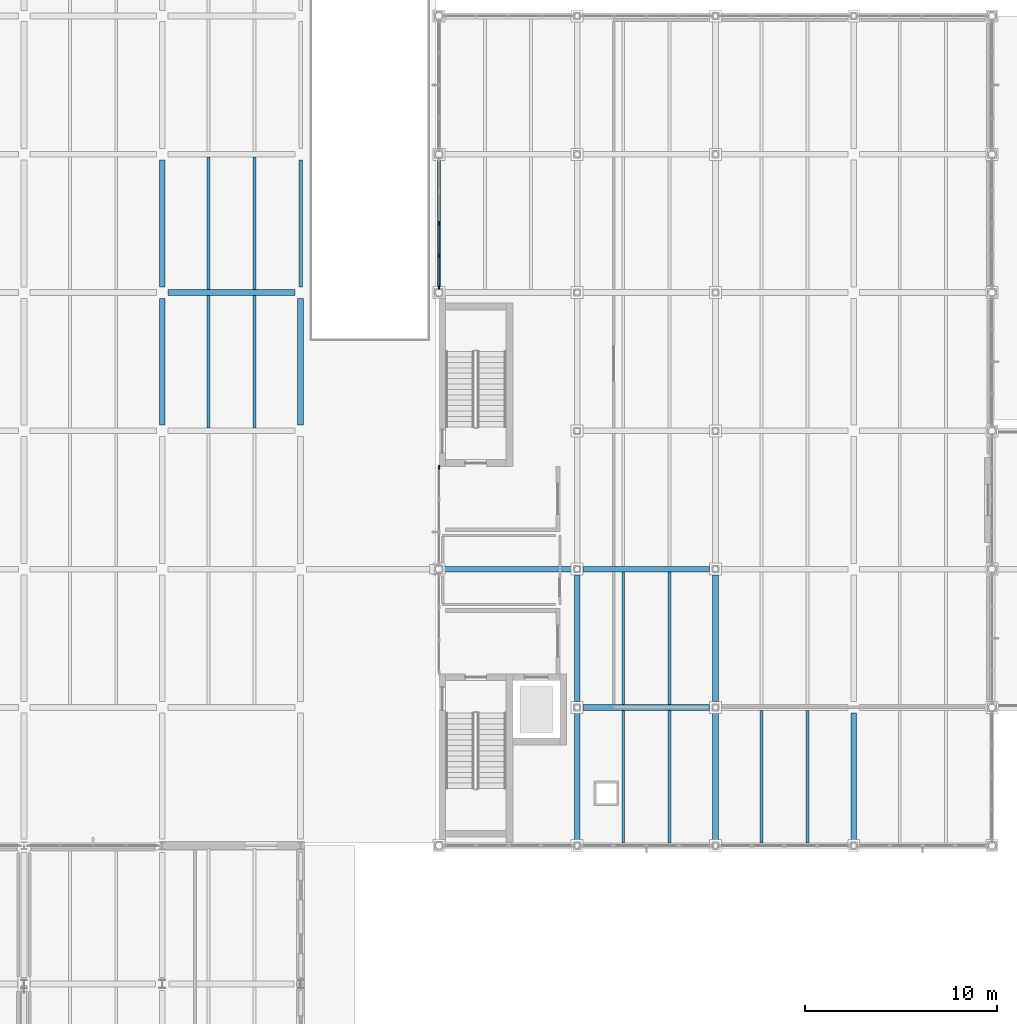
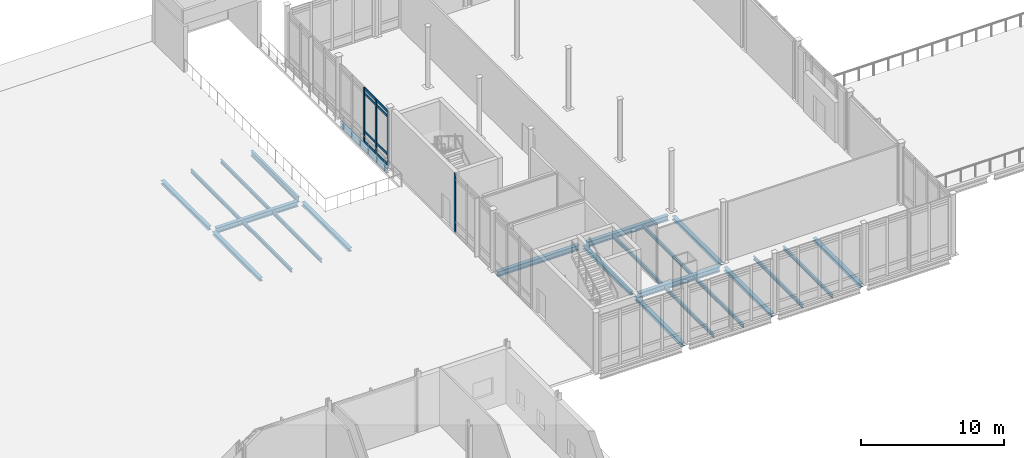
# One storey, part 26 of 89: 24 beams, 12 members, 2 elements without a shape of their own.
"""IFC4 building model written with IfcOpenShell, lengths in metres."""

from ifc_helpers import new_model, si_unit, direction, frame, origin, origin_2d, place, context, subcontext, project, spatial, rectangle, i_section, extrude, material, layer, layer_set, material_profile, profile_set, type_object, element, aggregate, save


model = new_model("IFC4")

# Units and contexts
model_context = context("Model", 3, precision=1e-05, world=origin(), true_north=direction((0.0, 1.0)))
body_context = subcontext(model_context, "Body", "Model", "MODEL_VIEW")
ifc_project = project(units=[si_unit("LENGTHUNIT", "METRE"), si_unit("AREAUNIT", "SQUARE_METRE"), si_unit("VOLUMEUNIT", "CUBIC_METRE"), si_unit("PLANEANGLEUNIT", "RADIAN"), si_unit("MASSUNIT", "GRAM", prefix="KILO")], contexts=[model_context])

# Site, building, storey
site_placement = place(None, origin())
site = spatial("IfcSite", under=ifc_project, at=site_placement, CompositionType="ELEMENT")
building_placement = place(site_placement, origin())
building = spatial("IfcBuilding", under=site, at=building_placement, Name="Zarrinpeak Specialist Clinic", CompositionType="ELEMENT")
storey_placement = place(building_placement, origin())
storey = spatial("IfcBuildingStorey", under=building, at=storey_placement, Name="L00", CompositionType="ELEMENT", Elevation=0.0)

# Beams
ifc_material_1 = material(Name="Steel S355", Category="steel")
ifc_material_profile_1 = material_profile(ifc_material_1, i_section(OverallWidth=0.300048828125, OverallDepth=0.2900390625, WebThickness=0.008544921875, FlangeThickness=0.013916015625, FilletRadius=0.027099609375, at=origin_2d()), Name="HEA 300")
ifc_profile_set_1 = profile_set([ifc_material_profile_1], Name="Steel S355")
beam_type_1 = type_object("IfcBeamType", Name="BM-HEA300", PredefinedType="BEAM", material=ifc_profile_set_1)
for number, where, z_axis, x_axis, name in (
    (1, (79.199951171875, 50.697998046875, -0.364990234375), (0.0, 1.0, 0.0), (-1.0, 0.0, 0.0), "L00 Primary Beam BM-L00-Y0360"),
    (2, (79.199951171875, 57.89794921875, -0.364990234375), (0.0, 1.0, 0.0), (-1.0, 0.0, 0.0), "L00 Primary Beam BM-L00-Y0361"),
    (3, (86.39990234375, 50.697998046875, -0.364990234375), (0.0, 1.0, 0.0), (-1.0, 0.0, 0.0), "L00 Primary Beam BM-L00-Y0369"),
    (4, (100.800048828125, 29.097900390625, -0.39501953125), (0.0, 1.0, 0.0), (-1.0, 0.0, 0.0), "L00 Primary Beam BM-L00-Y0375"),
    (5, (100.800048828125, 36.298095703125, -0.39501953125), (0.0, 1.0, 0.0), (-1.0, 0.0, 0.0), "L00 Primary Beam BM-L00-Y0376"),
    (6, (108.0, 29.097900390625, -0.39501953125), (0.0, 1.0, 0.0), (-1.0, 0.0, 0.0), "L00 Primary Beam BM-L00-Y0381"),
    (7, (108.0, 36.298095703125, -0.39501953125), (0.0, 1.0, 0.0), (-1.0, 0.0, 0.0), "L00 Primary Beam BM-L00-Y0382"),
    (8, (115.199951171875, 29.097900390625, -0.39501953125), (0.0, 1.0, 0.0), (-1.0, 0.0, 0.0), "L00 Primary Beam BM-L00-Y0387"),
):
    element("IfcBeam", number, at=place(storey_placement, frame(where, z_axis=z_axis, x_axis=x_axis)), inside=storey, type_object=beam_type_1, Name=name, PredefinedType="BEAM", context=body_context, shape_type="SweptSolid", body=[
        extrude(i_section(OverallWidth=0.300048828125, OverallDepth=0.2900390625, WebThickness=0.008544921875, FlangeThickness=0.013916015625, FilletRadius=0.027099609375, at=origin_2d()), origin(), (0.0, 0.0, 1.0), 6.60400390625),
    ])
ifc_material_profile_2 = material_profile(ifc_material_1, i_section(OverallWidth=0.300048828125, OverallDepth=0.43994140625, WebThickness=0.011474609375, FlangeThickness=0.02099609375, FilletRadius=0.027099609375, at=origin_2d()), Name="HEA 450")
ifc_profile_set_2 = profile_set([ifc_material_profile_2], Name="Steel S355")
beam_type_2 = type_object("IfcBeamType", Name="BM-HEA450", PredefinedType="BEAM", material=ifc_profile_set_2)
for number, where, z_axis, x_axis, name in (
    (9, (101.097900390625, 36.0, -0.469970703125), (1.0, 0.0, 0.0), (0.0, 1.0, 0.0), "L00 Primary Floor Girder BM-L00-X0068"),
    (10, (93.89794921875, 43.199951171875, -0.469970703125), (1.0, 0.0, 0.0), (0.0, 1.0, 0.0), "L00 Primary Floor Girder BM-L00-X0091"),
    (11, (101.097900390625, 43.199951171875, -0.469970703125), (1.0, 0.0, 0.0), (0.0, 1.0, 0.0), "L00 Primary Floor Girder BM-L00-X0092"),
    (12, (79.498046875, 57.60009765625, -0.43994140625), (1.0, 0.0, 0.0), (0.0, 1.0, 0.0), "L00 Primary Floor Girder BM-L00-X0139"),
):
    element("IfcBeam", number, at=place(storey_placement, frame(where, z_axis=z_axis, x_axis=x_axis)), inside=storey, type_object=beam_type_2, Name=name, PredefinedType="BEAM", context=body_context, shape_type="SweptSolid", body=[
        extrude(i_section(OverallWidth=0.300048828125, OverallDepth=0.43994140625, WebThickness=0.011474609375, FlangeThickness=0.02099609375, FilletRadius=0.027099609375, at=origin_2d()), origin(), (0.0, 0.0, 1.0), 6.60400390625),
    ])
ifc_material_profile_3 = material_profile(ifc_material_1, i_section(OverallWidth=0.14990234375, OverallDepth=0.300048828125, WebThickness=0.007080078125, FlangeThickness=0.0107421875, FilletRadius=0.014892578125, at=origin_2d()), Name="IPE 300")
ifc_profile_set_3 = profile_set([ifc_material_profile_3], Name="Steel S355")
beam_type_3 = type_object("IfcBeamType", Name="BM-JST300", PredefinedType="JOIST", material=ifc_profile_set_3)
for number, where, z_axis, x_axis, name in (
    (13, (103.199951171875, 28.947998046875, -0.39990234375), (0.0, 1.0, 0.0), (-1.0, 0.0, 0.0), "L00 Composite Floor Joist JST-L00-0505"),
    (14, (105.60009765625, 28.947998046875, -0.39990234375), (0.0, 1.0, 0.0), (-1.0, 0.0, 0.0), "L00 Composite Floor Joist JST-L00-0506"),
    (15, (103.199951171875, 36.14794921875, -0.39990234375), (0.0, 1.0, 0.0), (-1.0, 0.0, 0.0), "L00 Composite Floor Joist JST-L00-0507"),
    (16, (105.60009765625, 36.14794921875, -0.39990234375), (0.0, 1.0, 0.0), (-1.0, 0.0, 0.0), "L00 Composite Floor Joist JST-L00-0508"),
    (17, (110.39990234375, 28.947998046875, -0.39990234375), (0.0, 1.0, 0.0), (-1.0, 0.0, 0.0), "L00 Composite Floor Joist JST-L00-0517"),
    (18, (112.800048828125, 28.947998046875, -0.39990234375), (0.0, 1.0, 0.0), (-1.0, 0.0, 0.0), "L00 Composite Floor Joist JST-L00-0518"),
):
    element("IfcBeam", number, at=place(storey_placement, frame(where, z_axis=z_axis, x_axis=x_axis)), inside=storey, type_object=beam_type_3, Name=name, PredefinedType="JOIST", context=body_context, shape_type="SweptSolid", body=[
        extrude(i_section(OverallWidth=0.14990234375, OverallDepth=0.300048828125, WebThickness=0.007080078125, FlangeThickness=0.0107421875, FilletRadius=0.014892578125, at=origin_2d()), origin(), (0.0, 0.0, 1.0), 6.904052734375),
    ])
for number, where, z_axis, x_axis, name in (
    (19, (81.60009765625, 50.548095703125, -0.3701171875), (0.0, 1.0, 0.0), (-1.0, 0.0, 0.0), "L00 Composite Floor Joist JST-L00-0680"),
    (20, (84.0, 50.548095703125, -0.3701171875), (0.0, 1.0, 0.0), (-1.0, 0.0, 0.0), "L00 Composite Floor Joist JST-L00-0681"),
):
    element("IfcBeam", number, at=place(storey_placement, frame(where, z_axis=z_axis, x_axis=x_axis)), inside=storey, type_object=beam_type_3, Name=name, PredefinedType="JOIST", context=body_context, shape_type="SweptSolid", body=[
        extrude(i_section(OverallWidth=0.14990234375, OverallDepth=0.300048828125, WebThickness=0.007080078125, FlangeThickness=0.0107421875, FilletRadius=0.014892578125, at=origin_2d()), origin(), (0.0, 0.0, 1.0), 6.90380859375),
    ])
for number, where, z_axis, x_axis, name in (
    (21, (81.60009765625, 57.748046875, -0.3701171875), (0.0, 1.0, 0.0), (-1.0, 0.0, 0.0), "L00 Composite Floor Joist JST-L00-0682"),
    (22, (84.0, 57.748046875, -0.3701171875), (0.0, 1.0, 0.0), (-1.0, 0.0, 0.0), "L00 Composite Floor Joist JST-L00-0683"),
):
    element("IfcBeam", number, at=place(storey_placement, frame(where, z_axis=z_axis, x_axis=x_axis)), inside=storey, type_object=beam_type_3, Name=name, PredefinedType="JOIST", context=body_context, shape_type="SweptSolid", body=[
        extrude(i_section(OverallWidth=0.14990234375, OverallDepth=0.300048828125, WebThickness=0.007080078125, FlangeThickness=0.0107421875, FilletRadius=0.014892578125, at=origin_2d()), origin(), (0.0, 0.0, 1.0), 6.904052734375),
    ])
ifc_material_profile_4 = material_profile(ifc_material_1, i_section(OverallWidth=0.18994140625, OverallDepth=0.449951171875, WebThickness=0.009521484375, FlangeThickness=0.0146484375, FilletRadius=0.02099609375, at=origin_2d()), Name="IPE 450")
ifc_profile_set_4 = profile_set([ifc_material_profile_4], Name="Steel S355")
beam_type_4 = type_object("IfcBeamType", Name="BM-SP450", PredefinedType="SPANDREL", material=ifc_profile_set_4)
for number, where, z_axis, x_axis, name in (
    (23, (86.39990234375, 57.89794921875, -0.445068359375), (0.0, 1.0, 0.0), (-1.0, 0.0, 0.0), "L00 Perimeter Spandrel Beam BM-L00-Y0370"),
    (24, (93.60009765625, 57.89794921875, -0.47509765625), (0.0, 1.0, 0.0), (-1.0, 0.0, 0.0), "L00 Perimeter Spandrel Beam BM-L00-Y0373"),
):
    element("IfcBeam", number, at=place(storey_placement, frame(where, z_axis=z_axis, x_axis=x_axis)), inside=storey, type_object=beam_type_4, Name=name, PredefinedType="SPANDREL", context=body_context, shape_type="SweptSolid", body=[
        extrude(i_section(OverallWidth=0.18994140625, OverallDepth=0.449951171875, WebThickness=0.009521484375, FlangeThickness=0.0146484375, FilletRadius=0.02099609375, at=origin_2d()), origin(), (0.0, 0.0, 1.0), 6.60400390625),
    ])

# Curtain wall, member
ifc_material_2 = material(Name="Anodised Aluminium Alloy 6063-T6", Category="aluminium")
ifc_layer = layer(ifc_material_2, 0.199951171875)
ifc_layer_set = layer_set([ifc_layer], Name="Anodised Aluminium Alloy 6063-T6")
curtain_wall_type = type_object("IfcCurtainWallType", Name="CW-HALL", PredefinedType="NOTDEFINED", material=ifc_layer_set)
curtain_wall_1_placement = place(storey_placement, origin())
curtain_wall_1 = element("IfcCurtainWall", 25, at=curtain_wall_1_placement, inside=storey, type_object=curtain_wall_type, Name="L00 V3 Unitised Curtain Wall CW-L00-V3-088", PredefinedType="NOTDEFINED")
ifc_material_profile_5 = material_profile(ifc_material_2, rectangle(XDim=0.090087890625, YDim=0.219970703125, at=origin_2d()), Name="ALU 90x220")
ifc_profile_set_5 = profile_set([ifc_material_profile_5], Name="Anodised Aluminium Alloy 6063-T6")
member_type_1 = type_object("IfcMemberType", Name="CWM-90", PredefinedType="MULLION", material=ifc_profile_set_5)
member_1_placement = place(storey_placement, frame((93.60009765625, 48.5048828125, 0.0), z_axis=(0.0, 0.0, 1.0), x_axis=(1.0, 0.0, 0.0)))
member_1 = element("IfcMember", 26, at=member_1_placement, type_object=member_type_1, Name="CW-02 mullion 1", PredefinedType="MULLION", context=body_context, shape_type="SweptSolid", body=[
    extrude(rectangle(XDim=0.090087890625, YDim=0.219970703125, at=origin_2d()), origin(), (0.0, 0.0, 1.0), 4.969970703125),
])
aggregate(curtain_wall_1, [member_1])

# Curtain wall, members
curtain_wall_2_placement = place(storey_placement, origin())
curtain_wall_2 = element("IfcCurtainWall", 27, at=curtain_wall_2_placement, inside=storey, type_object=curtain_wall_type, Name="L00 V3 Unitised Curtain Wall CW-L00-V3-089", PredefinedType="NOTDEFINED")
member_2_placement = place(storey_placement, frame((93.60009765625, 61.199951171875, 0.0), z_axis=(0.0, 0.0, 1.0), x_axis=(1.0, 0.0, 0.0)))
member_2 = element("IfcMember", 28, at=member_2_placement, type_object=member_type_1, Name="CW-02 mullion 3", PredefinedType="MULLION", context=body_context, shape_type="SweptSolid", body=[
    extrude(rectangle(XDim=0.090087890625, YDim=0.219970703125, at=origin_2d()), origin(), (0.0, 0.0, 1.0), 4.594970703125),
])
member_3_placement = place(storey_placement, frame((93.60009765625, 59.51416015625, 0.0), z_axis=(0.0, 0.0, 1.0), x_axis=(1.0, 0.0, 0.0)))
member_3 = element("IfcMember", 29, at=member_3_placement, type_object=member_type_1, Name="CW-02 mullion 4", PredefinedType="MULLION", context=body_context, shape_type="SweptSolid", body=[
    extrude(rectangle(XDim=0.090087890625, YDim=0.219970703125, at=origin_2d()), origin(), (0.0, 0.0, 1.0), 4.594970703125),
])
member_4_placement = place(storey_placement, frame((93.60009765625, 57.873291015625, 0.0), z_axis=(0.0, 0.0, 1.0), x_axis=(1.0, 0.0, 0.0)))
member_4 = element("IfcMember", 30, at=member_4_placement, type_object=member_type_1, Name="CW-02 mullion 5", PredefinedType="MULLION", context=body_context, shape_type="SweptSolid", body=[
    extrude(rectangle(XDim=0.090087890625, YDim=0.219970703125, at=origin_2d()), origin(), (0.0, 0.0, 1.0), 4.594970703125),
])
ifc_material_profile_6 = material_profile(ifc_material_2, rectangle(XDim=0.090087890625, YDim=0.18994140625, at=origin_2d()), Name="ALU 90x190")
ifc_profile_set_6 = profile_set([ifc_material_profile_6], Name="Anodised Aluminium Alloy 6063-T6")
member_type_2 = type_object("IfcMemberType", Name="CWT-90", PredefinedType="USERDEFINED", material=ifc_profile_set_6)
member_5_placement = place(storey_placement, frame((93.60009765625, 61.155029296875, 0.044921875), z_axis=(0.0, -1.0, 0.0), x_axis=(1.0, 0.0, 0.0)))
member_5 = element("IfcMember", 31, at=member_5_placement, type_object=member_type_2, Name="CW-02 transom 3.1", ObjectType="TRANSOM", PredefinedType="USERDEFINED", context=body_context, shape_type="SweptSolid", body=[
    extrude(rectangle(XDim=0.090087890625, YDim=0.18994140625, at=origin_2d()), origin(), (0.0, 0.0, 1.0), 1.595947265625),
])
member_6_placement = place(storey_placement, frame((93.60009765625, 61.155029296875, 0.89990234375), z_axis=(0.0, -1.0, 0.0), x_axis=(1.0, 0.0, 0.0)))
member_6 = element("IfcMember", 32, at=member_6_placement, type_object=member_type_2, Name="CW-02 transom 3.2", ObjectType="TRANSOM", PredefinedType="USERDEFINED", context=body_context, shape_type="SweptSolid", body=[
    extrude(rectangle(XDim=0.090087890625, YDim=0.18994140625, at=origin_2d()), origin(), (0.0, 0.0, 1.0), 1.595947265625),
])
member_7_placement = place(storey_placement, frame((93.60009765625, 61.155029296875, 4.14501953125), z_axis=(0.0, -1.0, 0.0), x_axis=(1.0, 0.0, 0.0)))
member_7 = element("IfcMember", 33, at=member_7_placement, type_object=member_type_2, Name="CW-02 transom 3.3", ObjectType="TRANSOM", PredefinedType="USERDEFINED", context=body_context, shape_type="SweptSolid", body=[
    extrude(rectangle(XDim=0.090087890625, YDim=0.18994140625, at=origin_2d()), origin(), (0.0, 0.0, 1.0), 1.595947265625),
])
member_8_placement = place(storey_placement, frame((93.60009765625, 61.155029296875, 4.550048828125), z_axis=(0.0, -1.0, 0.0), x_axis=(1.0, 0.0, 0.0)))
member_8 = element("IfcMember", 34, at=member_8_placement, type_object=member_type_2, Name="CW-02 transom 3.4", ObjectType="TRANSOM", PredefinedType="USERDEFINED", context=body_context, shape_type="SweptSolid", body=[
    extrude(rectangle(XDim=0.090087890625, YDim=0.18994140625, at=origin_2d()), origin(), (0.0, 0.0, 1.0), 1.595947265625),
])
member_9_placement = place(storey_placement, frame((93.60009765625, 59.468994140625, 0.044921875), z_axis=(0.0, -1.0, 0.0), x_axis=(1.0, 0.0, 0.0)))
member_9 = element("IfcMember", 35, at=member_9_placement, type_object=member_type_2, Name="CW-02 transom 4.1", ObjectType="TRANSOM", PredefinedType="USERDEFINED", context=body_context, shape_type="SweptSolid", body=[
    extrude(rectangle(XDim=0.090087890625, YDim=0.18994140625, at=origin_2d()), origin(), (0.0, 0.0, 1.0), 1.55078125),
])
member_10_placement = place(storey_placement, frame((93.60009765625, 59.468994140625, 0.89990234375), z_axis=(0.0, -1.0, 0.0), x_axis=(1.0, 0.0, 0.0)))
member_10 = element("IfcMember", 36, at=member_10_placement, type_object=member_type_2, Name="CW-02 transom 4.2", ObjectType="TRANSOM", PredefinedType="USERDEFINED", context=body_context, shape_type="SweptSolid", body=[
    extrude(rectangle(XDim=0.090087890625, YDim=0.18994140625, at=origin_2d()), origin(), (0.0, 0.0, 1.0), 1.55078125),
])
member_11_placement = place(storey_placement, frame((93.60009765625, 59.468994140625, 4.14501953125), z_axis=(0.0, -1.0, 0.0), x_axis=(1.0, 0.0, 0.0)))
member_11 = element("IfcMember", 37, at=member_11_placement, type_object=member_type_2, Name="CW-02 transom 4.3", ObjectType="TRANSOM", PredefinedType="USERDEFINED", context=body_context, shape_type="SweptSolid", body=[
    extrude(rectangle(XDim=0.090087890625, YDim=0.18994140625, at=origin_2d()), origin(), (0.0, 0.0, 1.0), 1.55078125),
])
member_12_placement = place(storey_placement, frame((93.60009765625, 59.468994140625, 4.550048828125), z_axis=(0.0, -1.0, 0.0), x_axis=(1.0, 0.0, 0.0)))
member_12 = element("IfcMember", 38, at=member_12_placement, type_object=member_type_2, Name="CW-02 transom 4.4", ObjectType="TRANSOM", PredefinedType="USERDEFINED", context=body_context, shape_type="SweptSolid", body=[
    extrude(rectangle(XDim=0.090087890625, YDim=0.18994140625, at=origin_2d()), origin(), (0.0, 0.0, 1.0), 1.55078125),
])
aggregate(curtain_wall_2, [member_2, member_3, member_4, member_5, member_6, member_7, member_8, member_9, member_10, member_11, member_12])

save(model, "model.ifc")
